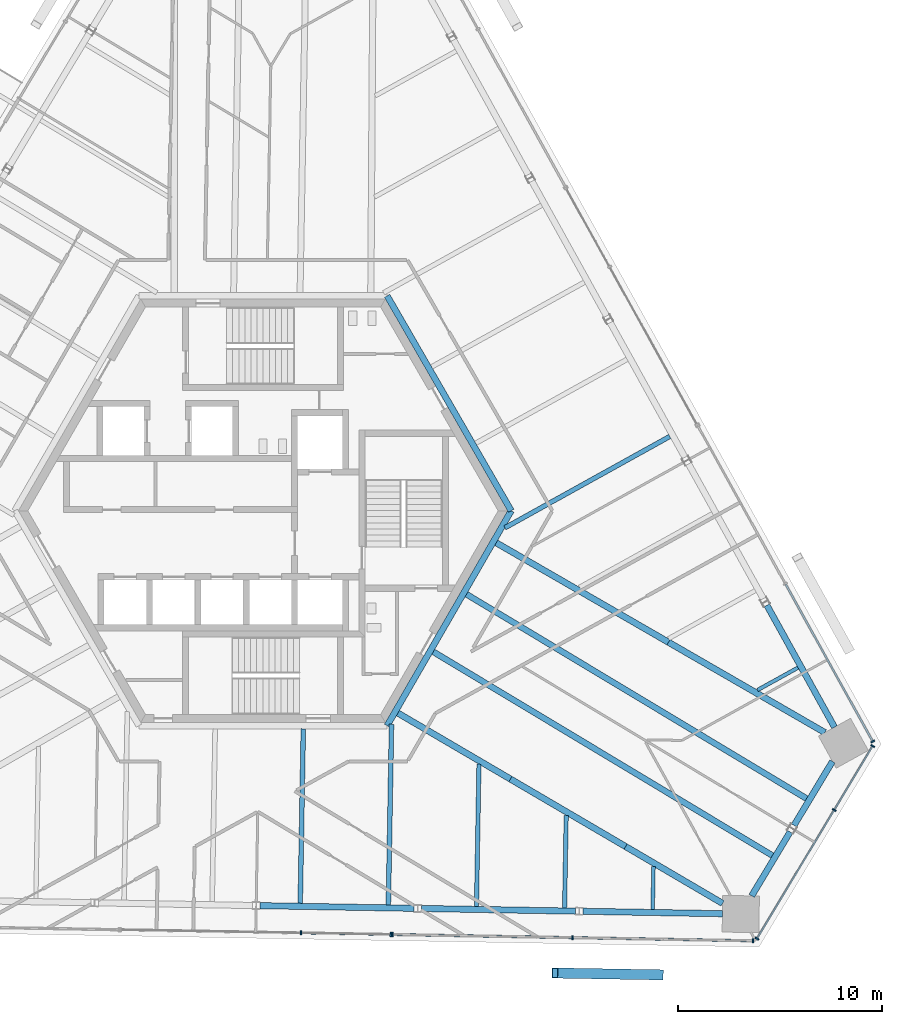
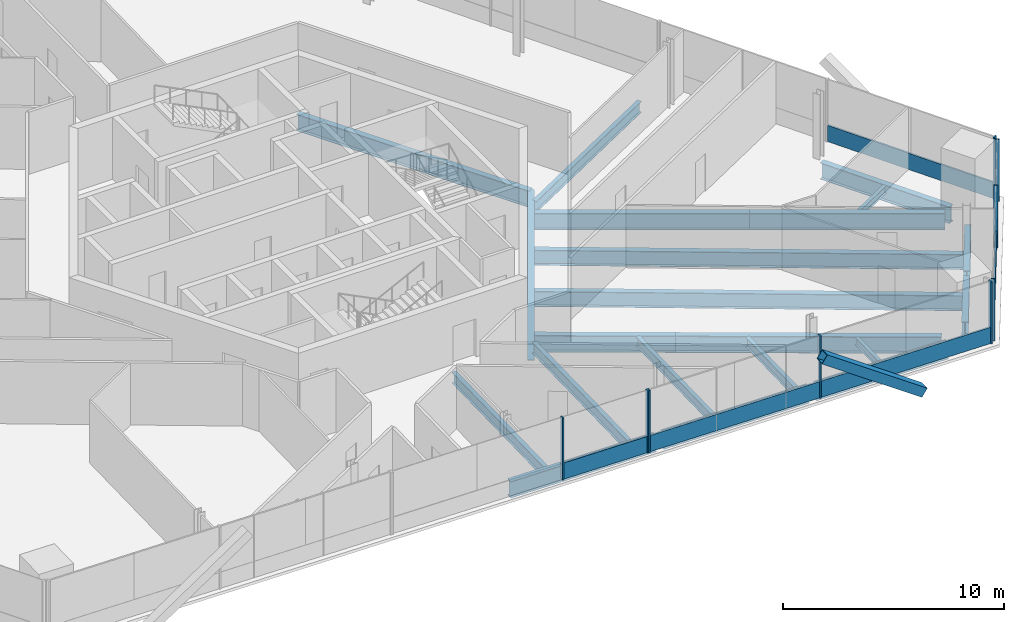
# One storey, part 6 of 19: 22 beams, 16 members, 4 elements without a shape of their own.
"""IFC4 building model written with IfcOpenShell, lengths in metres."""

from ifc_helpers import new_model, si_unit, direction, frame, origin, origin_2d, place, context, subcontext, project, spatial, rectangle, hollow_rectangle, i_section, extrude, source, transform, mapped, material, material_profile, profile_set, type_object, element, aggregate, save


model = new_model("IFC4")

# Units and contexts
model_context = context("Model", 3, precision=1e-05, world=origin(), true_north=direction((0.0, 1.0)))
body_context = subcontext(model_context, "Body", "Model", "MODEL_VIEW")
ifc_project = project(units=[si_unit("LENGTHUNIT", "METRE"), si_unit("AREAUNIT", "SQUARE_METRE"), si_unit("VOLUMEUNIT", "CUBIC_METRE"), si_unit("PLANEANGLEUNIT", "RADIAN"), si_unit("MASSUNIT", "GRAM", prefix="KILO")], contexts=[model_context])

# Site, building, storey
site_placement = place(None, origin())
site = spatial("IfcSite", under=ifc_project, at=site_placement, CompositionType="ELEMENT")
building_placement = place(site_placement, origin())
building = spatial("IfcBuilding", under=site, at=building_placement, Name="Triune Harvest Tower", CompositionType="ELEMENT")
storey_placement = place(building_placement, frame((0.0, 0.0, 183.5)))
storey = spatial("IfcBuildingStorey", under=building, at=storey_placement, Name="L47", CompositionType="ELEMENT", Elevation=183.5)

# Beams
ifc_material_1 = material(Name="Steel ASTM A992 Gr 50", Category="steel")
ifc_material_profile_1 = material_profile(ifc_material_1, i_section(OverallWidth=0.3046875, OverallDepth=0.914306640625, WebThickness=0.0166015625, FlangeThickness=0.02587890625, at=origin_2d()), Name="W36x160")
ifc_profile_set_1 = profile_set([ifc_material_profile_1], Name="Steel ASTM A992 Gr 50")
beam_type_1 = type_object("IfcBeamType", Name="CG-1 Core ring girder W36x160", PredefinedType="BEAM", material=ifc_profile_set_1)
shared_shape_1 = source(origin(), body_context, "Body", "SweptSolid", [
    extrude(i_section(OverallWidth=0.3046875, OverallDepth=0.914306640625, WebThickness=0.0166015625, FlangeThickness=0.02587890625, at=origin_2d()), origin(), (0.0, 0.0, 1.0), 12.176025390625),
])
for number, where, z_axis, x_axis, name in (
    (1, (12.176025390625, 0.0, -0.6171875), (-0.5000099932, 0.866019634131, 0.0), (-0.866019634131, -0.5000099932, 0.0), "beam/L47/CG1"),
    (2, (6.087890625, -10.544677734375, -0.6171875), (0.5000099932, 0.866019634131, 0.0), (-0.866019634131, 0.5000099932, 0.0), "beam/L47/CG6"),
):
    element("IfcBeam", number, at=place(storey_placement, frame(where, z_axis=z_axis, x_axis=x_axis)), inside=storey, type_object=beam_type_1, Name=name, PredefinedType="BEAM", context=body_context, shape_type="MappedRepresentation", body=[
        mapped(shared_shape_1, transform((0.0, 0.0, 0.0), scale=1.0)),
    ])
ifc_material_2 = material(Name="Steel ASTM A992 Gr 50", Category="steel")
ifc_material_profile_2 = material_profile(ifc_material_2, i_section(OverallWidth=0.307373046875, OverallDepth=0.922119140625, WebThickness=0.018310546875, FlangeThickness=0.030029296875, at=origin_2d()), Name="W36x182")
ifc_profile_set_2 = profile_set([ifc_material_profile_2], Name="Steel ASTM A992 Gr 50")
beam_type_2 = type_object("IfcBeamType", Name="HG-2 Hip girder W36x182", PredefinedType="BEAM", material=ifc_profile_set_2)
shared_shape_2 = source(origin(), body_context, "Body", "SweptSolid", [
    extrude(i_section(OverallWidth=0.307373046875, OverallDepth=0.922119140625, WebThickness=0.018310546875, FlangeThickness=0.030029296875, at=origin_2d()), origin(), (0.0, 0.0, 1.0), 9.7568359375),
])
beam_1_placement = place(storey_placement, frame((19.893310546875, -6.451904296875, -0.62109375), z_axis=(-0.866026409454, 0.499998258125, 0.0), x_axis=(-0.499998258125, -0.866026409454, 0.0)))
element("IfcBeam", 3, at=beam_1_placement, inside=storey, type_object=beam_type_2, Name="beam/L47/HG2", PredefinedType="BEAM", context=body_context, shape_type="MappedRepresentation", body=[
    mapped(shared_shape_2, transform((0.0, 0.0, 0.0), scale=1.0)),
])
shared_shape_3 = source(origin(), body_context, "Body", "SweptSolid", [
    extrude(i_section(OverallWidth=0.307373046875, OverallDepth=0.922119140625, WebThickness=0.018310546875, FlangeThickness=0.030029296875, at=origin_2d()), origin(), (0.0, 0.0, 1.0), 6.549560546875),
])
beam_2_placement = place(storey_placement, frame((17.789306640625, -16.475341796875, -0.62109375), z_axis=(-0.862742829324, 0.50564296737, 0.0), x_axis=(-0.50564296737, -0.862742829324, 0.0)))
element("IfcBeam", 4, at=beam_2_placement, inside=storey, type_object=beam_type_2, Name="beam/L47/HG9", PredefinedType="BEAM", context=body_context, shape_type="MappedRepresentation", body=[
    mapped(shared_shape_3, transform((0.0, 0.0, 0.0), scale=1.0)),
])
shared_shape_4 = source(origin(), body_context, "Body", "SweptSolid", [
    extrude(i_section(OverallWidth=0.307373046875, OverallDepth=0.922119140625, WebThickness=0.018310546875, FlangeThickness=0.030029296875, at=origin_2d()), origin(), (0.0, 0.0, 1.0), 6.397216796875),
])
beam_3_placement = place(storey_placement, frame((12.138671875, -13.16357421875, -0.62109375), z_axis=(-0.862754230068, 0.505623514583, 0.0), x_axis=(-0.505623514583, -0.862754230068, 0.0)))
element("IfcBeam", 5, at=beam_3_placement, inside=storey, type_object=beam_type_2, Name="beam/L47/HG10", PredefinedType="BEAM", context=body_context, shape_type="MappedRepresentation", body=[
    mapped(shared_shape_4, transform((0.0, 0.0, 0.0), scale=1.0)),
])
ifc_material_3 = material(Name="Steel ASTM A992 Gr 50", Category="steel")
ifc_material_profile_3 = material_profile(ifc_material_3, i_section(OverallWidth=0.3046875, OverallDepth=0.914306640625, WebThickness=0.0166015625, FlangeThickness=0.02587890625, at=origin_2d()), Name="W36x160")
ifc_profile_set_3 = profile_set([ifc_material_profile_3], Name="Steel ASTM A992 Gr 50")
beam_type_3 = type_object("IfcBeamType", Name="SB-1 Spandrel beam W36x160", PredefinedType="SPANDREL", material=ifc_profile_set_3)
shared_shape_5 = source(origin(), body_context, "Body", "SweptSolid", [
    extrude(i_section(OverallWidth=0.3046875, OverallDepth=0.914306640625, WebThickness=0.0166015625, FlangeThickness=0.02587890625, at=origin_2d()), origin(), (0.0, 0.0, 1.0), 6.841796875),
])
for number, where, z_axis, x_axis, name in (
    (6, (28.0390625, -10.61962890625, -0.6171875), (-0.484833781575, 0.87460631386, 0.0), (-0.87460631386, -0.484833781575, 0.0), "beam/L47/SB1"),
    (7, (15.69921875, -19.65185546875, -0.6171875), (0.999847128578, -0.017484835582, 0.0), (0.017484835582, 0.999847128578, 0.0), "beam/L47/SB22"),
):
    element("IfcBeam", number, at=place(storey_placement, frame(where, z_axis=z_axis, x_axis=x_axis)), inside=storey, type_object=beam_type_3, Name=name, PredefinedType="SPANDREL", context=body_context, shape_type="MappedRepresentation", body=[
        mapped(shared_shape_5, transform((0.0, 0.0, 0.0), scale=1.0)),
    ])
shared_shape_6 = source(origin(), body_context, "Body", "SweptSolid", [
    extrude(i_section(OverallWidth=0.3046875, OverallDepth=0.914306640625, WebThickness=0.0166015625, FlangeThickness=0.02587890625, at=origin_2d()), origin(), (0.0, 0.0, 1.0), 3.66357421875),
])
beam_4_placement = place(storey_placement, frame((23.97509765625, -18.896240234375, -0.6171875), z_axis=(0.51504443288, 0.857163480416, 0.0), x_axis=(-0.857163480416, 0.51504443288, 0.0)))
element("IfcBeam", 8, at=beam_4_placement, inside=storey, type_object=beam_type_3, Name="beam/L47/SB23", PredefinedType="SPANDREL", context=body_context, shape_type="MappedRepresentation", body=[
    mapped(shared_shape_6, transform((0.0, 0.0, 0.0), scale=1.0)),
])
shared_shape_7 = source(origin(), body_context, "Body", "SweptSolid", [
    extrude(i_section(OverallWidth=0.3046875, OverallDepth=0.914306640625, WebThickness=0.0166015625, FlangeThickness=0.02587890625, at=origin_2d()), origin(), (0.0, 0.0, 1.0), 7.556640625),
])
for number, where, z_axis, x_axis, name in (
    (9, (-0.15283203125, -19.375244140625, -0.6171875), (0.999847797686, -0.017446531514, 0.0), (0.017446531514, 0.999847797686, 0.0), "beam/L47/SB20"),
    (10, (7.773193359375, -19.513671875, -0.6171875), (0.999847797686, -0.017446531514, 0.0), (0.017446531514, 0.999847797686, 0.0), "beam/L47/SB21"),
):
    element("IfcBeam", number, at=place(storey_placement, frame(where, z_axis=z_axis, x_axis=x_axis)), inside=storey, type_object=beam_type_3, Name=name, PredefinedType="SPANDREL", context=body_context, shape_type="MappedRepresentation", body=[
        mapped(shared_shape_7, transform((0.0, 0.0, 0.0), scale=1.0)),
    ])
shared_shape_8 = source(origin(), body_context, "Body", "SweptSolid", [
    extrude(i_section(OverallWidth=0.3046875, OverallDepth=0.914306640625, WebThickness=0.0166015625, FlangeThickness=0.02587890625, at=origin_2d()), origin(), (0.0, 0.0, 1.0), 3.663818359375),
])
beam_5_placement = place(storey_placement, frame((26.052978515625, -15.43798828125, -0.6171875), z_axis=(0.515093391182, 0.857134060903, 0.0), x_axis=(-0.857134060903, 0.515093391182, 0.0)))
element("IfcBeam", 11, at=beam_5_placement, inside=storey, type_object=beam_type_3, Name="beam/L47/SB24", PredefinedType="SPANDREL", context=body_context, shape_type="MappedRepresentation", body=[
    mapped(shared_shape_8, transform((0.0, 0.0, 0.0), scale=1.0)),
])
shared_shape_9 = source(origin(), body_context, "Body", "SweptSolid", [
    extrude(i_section(OverallWidth=0.307373046875, OverallDepth=0.922119140625, WebThickness=0.018310546875, FlangeThickness=0.030029296875, at=origin_2d()), origin(), (0.0, 0.0, 1.0), 8.859619140625),
])
beam_6_placement = place(storey_placement, frame((27.56591796875, -10.8818359375, -0.62109375), z_axis=(-0.866018088107, 0.500012670911, 0.0), x_axis=(-0.500012670911, -0.866018088107, 0.0)))
element("IfcBeam", 12, at=beam_6_placement, inside=storey, type_object=beam_type_2, Name="beam/L47/HG1", PredefinedType="BEAM", context=body_context, shape_type="MappedRepresentation", body=[
    mapped(shared_shape_9, transform((0.0, 0.0, 0.0), scale=1.0)),
])
shared_shape_10 = source(origin(), body_context, "Body", "SweptSolid", [
    extrude(i_section(OverallWidth=0.307373046875, OverallDepth=0.922119140625, WebThickness=0.018310546875, FlangeThickness=0.030029296875, at=origin_2d()), origin(), (0.0, 0.0, 1.0), 5.516845703125),
])
beam_7_placement = place(storey_placement, frame((22.548828125, -19.264892578125, -0.62109375), z_axis=(-0.862738579495, 0.505650218482, 0.0), x_axis=(-0.505650218482, -0.862738579495, 0.0)))
element("IfcBeam", 13, at=beam_7_placement, inside=storey, type_object=beam_type_2, Name="beam/L47/HG8", PredefinedType="BEAM", context=body_context, shape_type="MappedRepresentation", body=[
    mapped(shared_shape_10, transform((0.0, 0.0, 0.0), scale=1.0)),
])
ifc_material_4 = material(Name="Steel ASTM A992 Gr 50", Category="steel")
ifc_material_profile_4 = material_profile(ifc_material_4, i_section(OverallWidth=0.180908203125, OverallDepth=0.41650390625, WebThickness=0.010986328125, FlangeThickness=0.01806640625, at=origin_2d()), Name="W16x57")
ifc_profile_set_4 = profile_set([ifc_material_profile_4], Name="Steel ASTM A992 Gr 50")
beam_type_4 = type_object("IfcBeamType", Name="JT-1 Floor joist W16x57", PredefinedType="JOIST", material=ifc_profile_set_4)
shared_shape_11 = source(origin(), body_context, "Body", "SweptSolid", [
    extrude(i_section(OverallWidth=0.180908203125, OverallDepth=0.41650390625, WebThickness=0.010986328125, FlangeThickness=0.01806640625, at=origin_2d()), origin(), (0.0, 0.0, 1.0), 2.266357421875),
])
beam_8_placement = place(storey_placement, frame((26.24560546875, -7.698974609375, -0.368408203125), z_axis=(-0.874639585413, -0.484773757157, 0.0), x_axis=(0.484773757157, -0.874639585413, 0.0)))
element("IfcBeam", 14, at=beam_8_placement, inside=storey, type_object=beam_type_4, Name="beam/L47/JT1", PredefinedType="JOIST", context=body_context, shape_type="MappedRepresentation", body=[
    mapped(shared_shape_11, transform((0.0, 0.0, 0.0), scale=1.0)),
])
ifc_material_5 = material(Name="Steel ASTM A992 Gr 50", Category="steel")
ifc_material_profile_5 = material_profile(ifc_material_5, i_section(OverallWidth=0.22900390625, OverallDepth=0.612060546875, WebThickness=0.011962890625, FlangeThickness=0.01953125, at=origin_2d()), Name="W24x84")
ifc_profile_set_5 = profile_set([ifc_material_profile_5], Name="Steel ASTM A992 Gr 50")
beam_type_5 = type_object("IfcBeamType", Name="JT-3 Floor joist W24x84", PredefinedType="JOIST", material=ifc_profile_set_5)
shared_shape_12 = source(origin(), body_context, "Body", "SweptSolid", [
    extrude(i_section(OverallWidth=0.22900390625, OverallDepth=0.612060546875, WebThickness=0.011962890625, FlangeThickness=0.01953125, at=origin_2d()), origin(), (0.0, 0.0, 1.0), 9.247314453125),
])
beam_9_placement = place(storey_placement, frame((19.956787109375, 3.646484375, -0.466064453125), z_axis=(-0.874621389222, -0.484806585676, 0.0), x_axis=(0.484806585676, -0.874621389222, 0.0)))
element("IfcBeam", 15, at=beam_9_placement, inside=storey, type_object=beam_type_5, Name="beam/L47/JT4", PredefinedType="JOIST", context=body_context, shape_type="MappedRepresentation", body=[
    mapped(shared_shape_12, transform((0.0, 0.0, 0.0), scale=1.0)),
])
ifc_material_6 = material(Name="Steel ASTM A992 Gr 50", Category="steel")
ifc_material_profile_6 = material_profile(ifc_material_6, i_section(OverallWidth=0.2919921875, OverallDepth=0.8408203125, WebThickness=0.0146484375, FlangeThickness=0.021728515625, at=origin_2d()), Name="W33x130")
ifc_profile_set_6 = profile_set([ifc_material_profile_6], Name="Steel ASTM A992 Gr 50")
beam_type_6 = type_object("IfcBeamType", Name="JT-6 Floor joist W33x130", PredefinedType="JOIST", material=ifc_profile_set_6)
shared_shape_13 = source(origin(), body_context, "Body", "SweptSolid", [
    extrude(i_section(OverallWidth=0.2919921875, OverallDepth=0.8408203125, WebThickness=0.0146484375, FlangeThickness=0.021728515625, at=origin_2d()), origin(), (0.0, 0.0, 1.0), 19.403564453125),
])
beam_10_placement = place(storey_placement, frame((24.98779296875, -16.915283203125, -0.580322265625), z_axis=(-0.857165243619, 0.515041498456, 0.0), x_axis=(-0.515041498456, -0.857165243619, 0.0)))
element("IfcBeam", 16, at=beam_10_placement, inside=storey, type_object=beam_type_6, Name="beam/L47/JT35", PredefinedType="JOIST", context=body_context, shape_type="MappedRepresentation", body=[
    mapped(shared_shape_13, transform((0.0, 0.0, 0.0), scale=1.0)),
])
shared_shape_14 = source(origin(), body_context, "Body", "SweptSolid", [
    extrude(i_section(OverallWidth=0.2919921875, OverallDepth=0.8408203125, WebThickness=0.0146484375, FlangeThickness=0.021728515625, at=origin_2d()), origin(), (0.0, 0.0, 1.0), 19.460205078125),
])
beam_11_placement = place(storey_placement, frame((26.666259765625, -14.12158203125, -0.580322265625), z_axis=(-0.85716841359, 0.515036222749, 0.0), x_axis=(-0.515036222749, -0.85716841359, 0.0)))
element("IfcBeam", 17, at=beam_11_placement, inside=storey, type_object=beam_type_6, Name="beam/L47/JT36", PredefinedType="JOIST", context=body_context, shape_type="MappedRepresentation", body=[
    mapped(shared_shape_14, transform((0.0, 0.0, 0.0), scale=1.0)),
])
shared_shape_15 = source(origin(), body_context, "Body", "SweptSolid", [
    extrude(i_section(OverallWidth=0.22900390625, OverallDepth=0.612060546875, WebThickness=0.011962890625, FlangeThickness=0.01953125, at=origin_2d()), origin(), (0.0, 0.0, 1.0), 8.5615234375),
])
beam_12_placement = place(storey_placement, frame((1.826171875, -19.25732421875, -0.466064453125), z_axis=(0.017451638412, 0.999847708562, 0.0), x_axis=(-0.999847708562, 0.017451638412, 0.0)))
element("IfcBeam", 18, at=beam_12_placement, inside=storey, type_object=beam_type_5, Name="beam/L47/JT30", PredefinedType="JOIST", context=body_context, shape_type="MappedRepresentation", body=[
    mapped(shared_shape_15, transform((0.0, 0.0, 0.0), scale=1.0)),
])
shared_shape_16 = source(origin(), body_context, "Body", "SweptSolid", [
    extrude(i_section(OverallWidth=0.180908203125, OverallDepth=0.41650390625, WebThickness=0.010986328125, FlangeThickness=0.01806640625, at=origin_2d()), origin(), (0.0, 0.0, 1.0), 2.104736328125),
])
beam_13_placement = place(storey_placement, frame((19.119384765625, -19.55908203125, -0.368408203125), z_axis=(0.017398758065, 0.999848630152, 0.0), x_axis=(-0.999848630152, 0.017398758065, 0.0)))
element("IfcBeam", 19, at=beam_13_placement, inside=storey, type_object=beam_type_4, Name="beam/L47/JT34", PredefinedType="JOIST", context=body_context, shape_type="MappedRepresentation", body=[
    mapped(shared_shape_16, transform((0.0, 0.0, 0.0), scale=1.0)),
])
shared_shape_17 = source(origin(), body_context, "Body", "SweptSolid", [
    extrude(i_section(OverallWidth=0.22900390625, OverallDepth=0.612060546875, WebThickness=0.011962890625, FlangeThickness=0.01953125, at=origin_2d()), origin(), (0.0, 0.0, 1.0), 8.859130859375),
])
beam_14_placement = place(storey_placement, frame((6.1494140625, -19.3330078125, -0.466064453125), z_axis=(0.017472043805, 0.999847352192, 0.0), x_axis=(-0.999847352192, 0.017472043805, 0.0)))
element("IfcBeam", 20, at=beam_14_placement, inside=storey, type_object=beam_type_5, Name="beam/L47/JT31", PredefinedType="JOIST", context=body_context, shape_type="MappedRepresentation", body=[
    mapped(shared_shape_17, transform((0.0, 0.0, 0.0), scale=1.0)),
])
ifc_material_7 = material(Name="Steel ASTM A992 Gr 50", Category="steel")
ifc_material_profile_7 = material_profile(ifc_material_7, i_section(OverallWidth=0.2099609375, OverallDepth=0.535888671875, WebThickness=0.010986328125, FlangeThickness=0.017333984375, at=origin_2d()), Name="W21x68")
ifc_profile_set_7 = profile_set([ifc_material_profile_7], Name="Steel ASTM A992 Gr 50")
beam_type_7 = type_object("IfcBeamType", Name="JT-2 Floor joist W21x68", PredefinedType="JOIST", material=ifc_profile_set_7)
shared_shape_18 = source(origin(), body_context, "Body", "SweptSolid", [
    extrude(i_section(OverallWidth=0.2099609375, OverallDepth=0.535888671875, WebThickness=0.010986328125, FlangeThickness=0.017333984375, at=origin_2d()), origin(), (0.0, 0.0, 1.0), 6.972412109375),
])
beam_15_placement = place(storey_placement, frame((10.47265625, -19.408203125, -0.427978515625), z_axis=(0.017472380522, 0.999847346308, 0.0), x_axis=(-0.999847346308, 0.017472380522, 0.0)))
element("IfcBeam", 21, at=beam_15_placement, inside=storey, type_object=beam_type_7, Name="beam/L47/JT32", PredefinedType="JOIST", context=body_context, shape_type="MappedRepresentation", body=[
    mapped(shared_shape_18, transform((0.0, 0.0, 0.0), scale=1.0)),
])
shared_shape_19 = source(origin(), body_context, "Body", "SweptSolid", [
    extrude(i_section(OverallWidth=0.2099609375, OverallDepth=0.535888671875, WebThickness=0.010986328125, FlangeThickness=0.017333984375, at=origin_2d()), origin(), (0.0, 0.0, 1.0), 4.5390625),
])
beam_16_placement = place(storey_placement, frame((14.7958984375, -19.48388671875, -0.427978515625), z_axis=(0.017480786476, 0.999847199378, 0.0), x_axis=(-0.999847199378, 0.017480786476, 0.0)))
element("IfcBeam", 22, at=beam_16_placement, inside=storey, type_object=beam_type_7, Name="beam/L47/JT33", PredefinedType="JOIST", context=body_context, shape_type="MappedRepresentation", body=[
    mapped(shared_shape_19, transform((0.0, 0.0, 0.0), scale=1.0)),
])

# Member
ifc_material_8 = material(Name="Steel ASTM A572 Gr 50", Category="steel")
ifc_material_profile_8 = material_profile(ifc_material_8, hollow_rectangle(XDim=0.5, YDim=0.5, WallThickness=0.030029296875, at=origin_2d()), Name="Box 500x500x30")
ifc_profile_set_8 = profile_set([ifc_material_profile_8], Name="Steel ASTM A572 Gr 50")
member_type_1 = type_object("IfcMemberType", Name="BR-3 Brace Box 500x500x30", PredefinedType="BRACE", material=ifc_profile_set_8)
shared_shape_20 = source(origin(), body_context, "Body", "SweptSolid", [
    extrude(hollow_rectangle(XDim=0.5, YDim=0.5, WallThickness=0.030029296875, at=origin_2d()), origin(), (0.0, 0.0, 1.0), 6.302978515625),
])
member_1_placement = place(storey_placement, frame((19.49267578125, -22.770751953125, 0.0), z_axis=(-0.820702450546, 0.014331692784, 0.57117605889), x_axis=(-0.017460052757, -0.99984756166, 0.0)))
element("IfcMember", 23, at=member_1_placement, inside=storey, type_object=member_type_1, Name="brace/B5-F5/d2/2", PredefinedType="BRACE", context=body_context, shape_type="MappedRepresentation", body=[
    mapped(shared_shape_20, transform((0.0, 0.0, 0.0), scale=1.0)),
])

# Curtain wall, member
ifc_material_9 = material(Name="Aluminium bronze anodised", Category="aluminium")
curtain_wall_type_1 = type_object("IfcCurtainWallType", Name="CW-7 Tower stick curtain wall with insulated spandrel infill", PredefinedType="NOTDEFINED", material=ifc_material_9)
curtain_wall_1_placement = place(storey_placement, origin())
curtain_wall_1 = element("IfcCurtainWall", 24, at=curtain_wall_1_placement, inside=storey, type_object=curtain_wall_type_1, Name="CW-7 B5-F1 L47 run 1")
ifc_material_10 = material(Name="Aluminium bronze anodised", Category="aluminium")
ifc_material_profile_9 = material_profile(ifc_material_10, rectangle(XDim=0.199951171875, YDim=0.074951171875, at=origin_2d()), Name="MU-1 mullion 75 x 200")
ifc_profile_set_9 = profile_set([ifc_material_profile_9], Name="Aluminium bronze anodised")
member_type_2 = type_object("IfcMemberType", Name="MU-1 mullion 75 x 200", PredefinedType="MULLION", material=ifc_profile_set_9)
shared_shape_21 = source(origin(), body_context, "Body", "SweptSolid", [
    extrude(rectangle(XDim=0.199951171875, YDim=0.074951171875, at=origin_2d()), origin(), (0.0, 0.0, 1.0), 3.43994140625),
])
member_2_placement = place(storey_placement, frame((29.916748046875, -11.321533203125, 0.0), z_axis=(0.0, 0.0, 1.0), x_axis=(-0.874620469995, -0.484808244015, 0.0)))
member_2 = element("IfcMember", 25, at=member_2_placement, type_object=member_type_2, Name="CW-7 mullion B5-F1 1.1", PredefinedType="MULLION", context=body_context, shape_type="MappedRepresentation", body=[
    mapped(shared_shape_21, transform((0.0, 0.0, 0.0), scale=1.0)),
])

# Curtain wall, members
ifc_material_11 = material(Name="Aluminium bronze anodised", Category="aluminium")
curtain_wall_type_2 = type_object("IfcCurtainWallType", Name="CW-1 Tower stick curtain wall", PredefinedType="NOTDEFINED", material=ifc_material_11)
curtain_wall_2_placement = place(storey_placement, origin())
curtain_wall_2 = element("IfcCurtainWall", 26, at=curtain_wall_2_placement, inside=storey, type_object=curtain_wall_type_2, Name="CW-1 B5-F5 L47 run 1001")
member_3_placement = place(storey_placement, frame((1.86083984375, -20.712646484375, 0.0), z_axis=(0.0, 0.0, 1.0), x_axis=(0.017453288654, 0.999847679757, 0.0)))
member_3 = element("IfcMember", 27, at=member_3_placement, type_object=member_type_2, Name="CW-1 mullion B5-F5 1001.3", PredefinedType="MULLION", context=body_context, shape_type="MappedRepresentation", body=[
    mapped(shared_shape_21, transform((0.0, 0.0, 0.0), scale=1.0)),
])
member_4_placement = place(storey_placement, frame((6.26708984375, -20.78955078125, 0.0), z_axis=(0.0, 0.0, 1.0), x_axis=(0.017453288654, 0.999847679757, 0.0)))
member_4 = element("IfcMember", 28, at=member_4_placement, type_object=member_type_2, Name="CW-1 mullion B5-F5 1001.4", PredefinedType="MULLION", context=body_context, shape_type="MappedRepresentation", body=[
    mapped(shared_shape_21, transform((0.0, 0.0, 0.0), scale=1.0)),
])

curtain_wall_3_placement = place(storey_placement, origin())
curtain_wall_3 = element("IfcCurtainWall", 29, at=curtain_wall_3_placement, inside=storey, type_object=curtain_wall_type_1, Name="CW-7 B5-F5 L47 run 2001")
member_5_placement = place(storey_placement, frame((6.342041015625, -20.791015625, 0.0), z_axis=(0.0, 0.0, 1.0), x_axis=(0.017451045864, 0.999847718904, 0.0)))
member_5 = element("IfcMember", 30, at=member_5_placement, type_object=member_type_2, Name="CW-7 mullion B5-F5 2001.1", PredefinedType="MULLION", context=body_context, shape_type="MappedRepresentation", body=[
    mapped(shared_shape_21, transform((0.0, 0.0, 0.0), scale=1.0)),
])
member_6_placement = place(storey_placement, frame((15.191650390625, -20.9453125, 0.0), z_axis=(0.0, 0.0, 1.0), x_axis=(0.017451045864, 0.999847718904, 0.0)))
member_6 = element("IfcMember", 31, at=member_6_placement, type_object=member_type_2, Name="CW-7 mullion B5-F5 2001.3", PredefinedType="MULLION", context=body_context, shape_type="MappedRepresentation", body=[
    mapped(shared_shape_21, transform((0.0, 0.0, 0.0), scale=1.0)),
])
member_7_placement = place(storey_placement, frame((24.04150390625, -21.099853515625, 0.0), z_axis=(0.0, 0.0, 1.0), x_axis=(0.017451045864, 0.999847718904, 0.0)))
member_7 = element("IfcMember", 32, at=member_7_placement, type_object=member_type_2, Name="CW-7 mullion B5-F5 2001.5", PredefinedType="MULLION", context=body_context, shape_type="MappedRepresentation", body=[
    mapped(shared_shape_21, transform((0.0, 0.0, 0.0), scale=1.0)),
])

curtain_wall_4_placement = place(storey_placement, origin())
curtain_wall_4 = element("IfcCurtainWall", 33, at=curtain_wall_4_placement, inside=storey, type_object=curtain_wall_type_2, Name="CW-1 B5-F6 L47 run 1")
member_8_placement = place(storey_placement, frame((24.234619140625, -20.992919921875, 0.0), z_axis=(0.0, 0.0, 1.0), x_axis=(-0.857168135313, 0.515036685882, 0.0)))
member_8 = element("IfcMember", 34, at=member_8_placement, type_object=member_type_2, Name="CW-1 mullion B5-F6 1.1", PredefinedType="MULLION", context=body_context, shape_type="MappedRepresentation", body=[
    mapped(shared_shape_21, transform((0.0, 0.0, 0.0), scale=1.0)),
])
member_9_placement = place(storey_placement, frame((28.026611328125, -14.681884765625, 0.0), z_axis=(0.0, 0.0, 1.0), x_axis=(-0.857168135313, 0.515036685882, 0.0)))
member_9 = element("IfcMember", 35, at=member_9_placement, type_object=member_type_2, Name="CW-1 mullion B5-F6 1.3", PredefinedType="MULLION", context=body_context, shape_type="MappedRepresentation", body=[
    mapped(shared_shape_21, transform((0.0, 0.0, 0.0), scale=1.0)),
])
member_10_placement = place(storey_placement, frame((29.912841796875, -11.54248046875, 0.0), z_axis=(0.0, 0.0, 1.0), x_axis=(-0.857168135313, 0.515036685882, 0.0)))
member_10 = element("IfcMember", 36, at=member_10_placement, type_object=member_type_2, Name="CW-1 mullion B5-F6 1.4", PredefinedType="MULLION", context=body_context, shape_type="MappedRepresentation", body=[
    mapped(shared_shape_21, transform((0.0, 0.0, 0.0), scale=1.0)),
])
ifc_material_12 = material(Name="Aluminium bronze anodised", Category="aluminium")
ifc_material_profile_10 = material_profile(ifc_material_12, rectangle(XDim=0.090087890625, YDim=0.89990234375, at=origin_2d()), Name="TR-1 transom 90 x 900")
ifc_profile_set_10 = profile_set([ifc_material_profile_10], Name="Aluminium bronze anodised")
member_type_3 = type_object("IfcMemberType", Name="TR-1 transom 90 x 900", PredefinedType="USERDEFINED", material=ifc_profile_set_10)
shared_shape_22 = source(origin(), body_context, "Body", "SweptSolid", [
    extrude(rectangle(XDim=0.090087890625, YDim=0.89990234375, at=origin_2d()), origin(), (0.0, 0.0, 1.0), 7.287841796875),
])
member_11_placement = place(storey_placement, frame((24.25390625, -20.960693359375, 0.449951171875), z_axis=(0.515032643637, 0.857170564117, 0.0), x_axis=(-0.857170564117, 0.515032643637, 0.0)))
member_11 = element("IfcMember", 37, at=member_11_placement, type_object=member_type_3, Name="CW-1 transom B5-F6 1.1", ObjectType="TRANSOM", PredefinedType="USERDEFINED", context=body_context, shape_type="MappedRepresentation", body=[
    mapped(shared_shape_22, transform((0.0, 0.0, 0.0), scale=1.0)),
])
shared_shape_23 = source(origin(), body_context, "Body", "SweptSolid", [
    extrude(rectangle(XDim=0.090087890625, YDim=0.89990234375, at=origin_2d()), origin(), (0.0, 0.0, 1.0), 3.587646484375),
])
member_12_placement = place(storey_placement, frame((28.0458984375, -14.649658203125, 0.449951171875), z_axis=(0.515016056834, 0.857180530112, 0.0), x_axis=(-0.857180530112, 0.515016056834, 0.0)))
member_12 = element("IfcMember", 38, at=member_12_placement, type_object=member_type_3, Name="CW-1 transom B5-F6 1.2", ObjectType="TRANSOM", PredefinedType="USERDEFINED", context=body_context, shape_type="MappedRepresentation", body=[
    mapped(shared_shape_23, transform((0.0, 0.0, 0.0), scale=1.0)),
])
aggregate(curtain_wall_4, [member_8, member_9, member_10, member_11, member_12])

# Member
shared_shape_24 = source(origin(), body_context, "Body", "SweptSolid", [
    extrude(rectangle(XDim=0.090087890625, YDim=0.89990234375, at=origin_2d()), origin(), (0.0, 0.0, 1.0), 8.776123046875),
])
member_13_placement = place(storey_placement, frame((29.898681640625, -11.288818359375, 0.449951171875), z_axis=(-0.484820758648, 0.87461353293, 0.0), x_axis=(-0.87461353293, -0.484820758648, 0.0)))
member_13 = element("IfcMember", 39, at=member_13_placement, type_object=member_type_3, Name="CW-7 transom B5-F1 1.1", ObjectType="TRANSOM", PredefinedType="USERDEFINED", context=body_context, shape_type="MappedRepresentation", body=[
    mapped(shared_shape_24, transform((0.0, 0.0, 0.0), scale=1.0)),
])

aggregate(curtain_wall_1, [member_2, member_13])

member_14_placement = place(storey_placement, frame((6.37939453125, -20.79150390625, 0.449951171875), z_axis=(0.999847389159, -0.017469928229, 0.0), x_axis=(0.017469928229, 0.999847389159, 0.0)))
member_14 = element("IfcMember", 40, at=member_14_placement, type_object=member_type_3, Name="CW-7 transom B5-F5 2001.1", ObjectType="TRANSOM", PredefinedType="USERDEFINED", context=body_context, shape_type="MappedRepresentation", body=[
    mapped(shared_shape_24, transform((0.0, 0.0, 0.0), scale=1.0)),
])

shared_shape_25 = source(origin(), body_context, "Body", "SweptSolid", [
    extrude(rectangle(XDim=0.090087890625, YDim=0.89990234375, at=origin_2d()), origin(), (0.0, 0.0, 1.0), 4.331787109375),
])
member_15_placement = place(storey_placement, frame((1.8984375, -20.71337890625, 0.449951171875), z_axis=(0.999847353549, -0.017471966156, 0.0), x_axis=(0.017471966156, 0.999847353549, 0.0)))
member_15 = element("IfcMember", 41, at=member_15_placement, type_object=member_type_3, Name="CW-1 transom B5-F5 1001.2", ObjectType="TRANSOM", PredefinedType="USERDEFINED", context=body_context, shape_type="MappedRepresentation", body=[
    mapped(shared_shape_25, transform((0.0, 0.0, 0.0), scale=1.0)),
])

aggregate(curtain_wall_2, [member_3, member_4, member_15])

shared_shape_26 = source(origin(), body_context, "Body", "SweptSolid", [
    extrude(rectangle(XDim=0.090087890625, YDim=0.89990234375, at=origin_2d()), origin(), (0.0, 0.0, 1.0), 8.77587890625),
])
member_16_placement = place(storey_placement, frame((15.229248046875, -20.946044921875, 0.449951171875), z_axis=(0.999847866219, -0.017442603492, 0.0), x_axis=(0.017442603492, 0.999847866219, 0.0)))
member_16 = element("IfcMember", 42, at=member_16_placement, type_object=member_type_3, Name="CW-7 transom B5-F5 2001.2", ObjectType="TRANSOM", PredefinedType="USERDEFINED", context=body_context, shape_type="MappedRepresentation", body=[
    mapped(shared_shape_26, transform((0.0, 0.0, 0.0), scale=1.0)),
])

aggregate(curtain_wall_3, [member_5, member_6, member_7, member_14, member_16])

save(model, "model.ifc")
